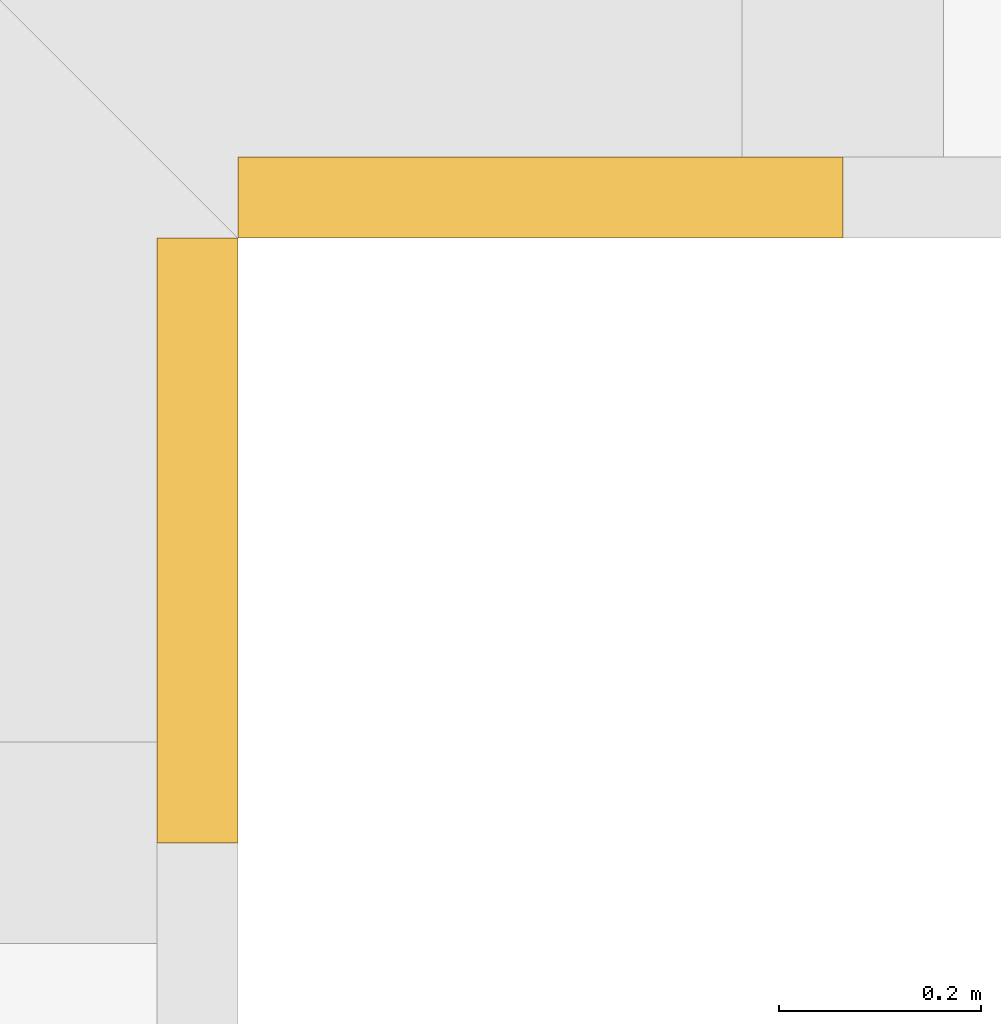
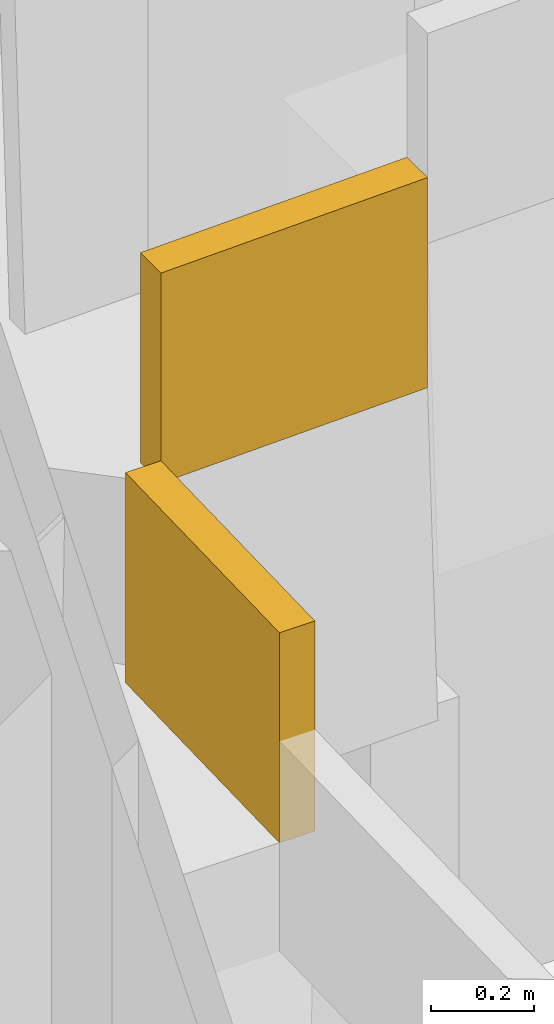
# One storey, part 29 of 29: 2 coverings.
"""IFC4 building model written with IfcOpenShell, lengths in metres."""

from ifc_helpers import new_model, si_unit, direction, frame, origin, place, context, subcontext, project, spatial, polyline, outline, extrude, material, layer, layer_set, type_object, element, save


model = new_model("IFC4")

# Units and contexts
model_context = context("Model", 3, precision=1e-05, world=origin(), true_north=direction((0.0, 1.0)))
body_context = subcontext(model_context, "Body", "Model", "MODEL_VIEW")
ifc_project = project(units=[si_unit("LENGTHUNIT", "METRE"), si_unit("AREAUNIT", "SQUARE_METRE"), si_unit("VOLUMEUNIT", "CUBIC_METRE"), si_unit("PLANEANGLEUNIT", "RADIAN"), si_unit("MASSUNIT", "GRAM", prefix="KILO")], contexts=[model_context])

# Site, building, storey
site_placement = place(None, origin())
site = spatial("IfcSite", under=ifc_project, at=site_placement, CompositionType="ELEMENT")
building_placement = place(site_placement, origin())
building = spatial("IfcBuilding", under=site, at=building_placement, Name="Saffron Gate Tower", CompositionType="ELEMENT")
storey_placement = place(building_placement, frame((0.0, 0.0, 106.050048828125)))
storey = spatial("IfcBuildingStorey", under=building, at=storey_placement, Name="L24", CompositionType="ELEMENT", Elevation=106.050048828125)

# Coverings
ifc_material = material(Name="Timber, thermally modified ash", Category="wood")
ifc_layer = layer(ifc_material, 0.080078125)
ifc_layer_set = layer_set([ifc_layer], Name="LD2 ledge planter trough")
covering_type = type_object("IfcCoveringType", Name="LD2 ledge planter trough", PredefinedType="CLADDING", material=ifc_layer_set)
for number, where, z_axis, x_axis, name in (
    (1, (124.800048828125, 31.800048828125, 2.56591796875), (1.0, 0.0, 0.0), (0.0, 0.999582742162, 0.028884971385), "LEDGE planter trough"),
    (2, (124.800048828125, 32.39990234375, 3.02978515625), (0.0, -1.0, 0.0), (0.999582742162, 0.0, 0.028884971385), "LEDGE planter trough"),
):
    element("IfcCovering", number, at=place(storey_placement, frame(where, z_axis=z_axis, x_axis=x_axis)), inside=storey, type_object=covering_type, Name=name, PredefinedType="CLADDING", context=body_context, shape_type="SweptSolid", body=[
        extrude(outline(polyline([(0.0, 0.0), (0.6001039136866089, 0.0), (0.614546399379222, 0.4997913710809928), (0.014442485692613144, 0.49979137108099286), (0.0, 0.0)])), origin(), (0.0, 0.0, -1.0), 0.080078125),
    ])

save(model, "model.ifc")
